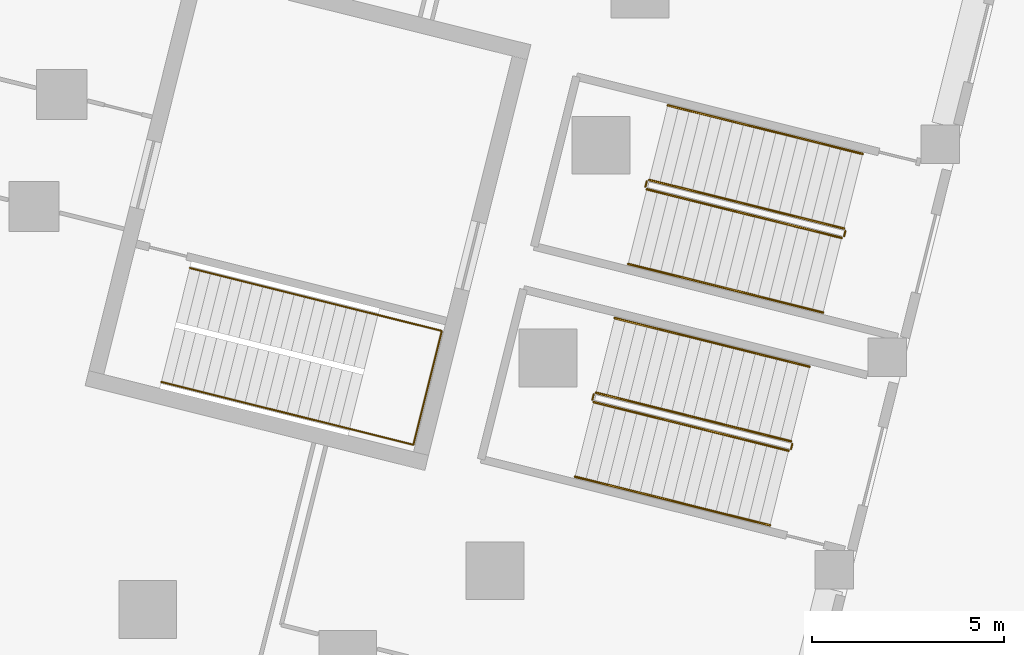
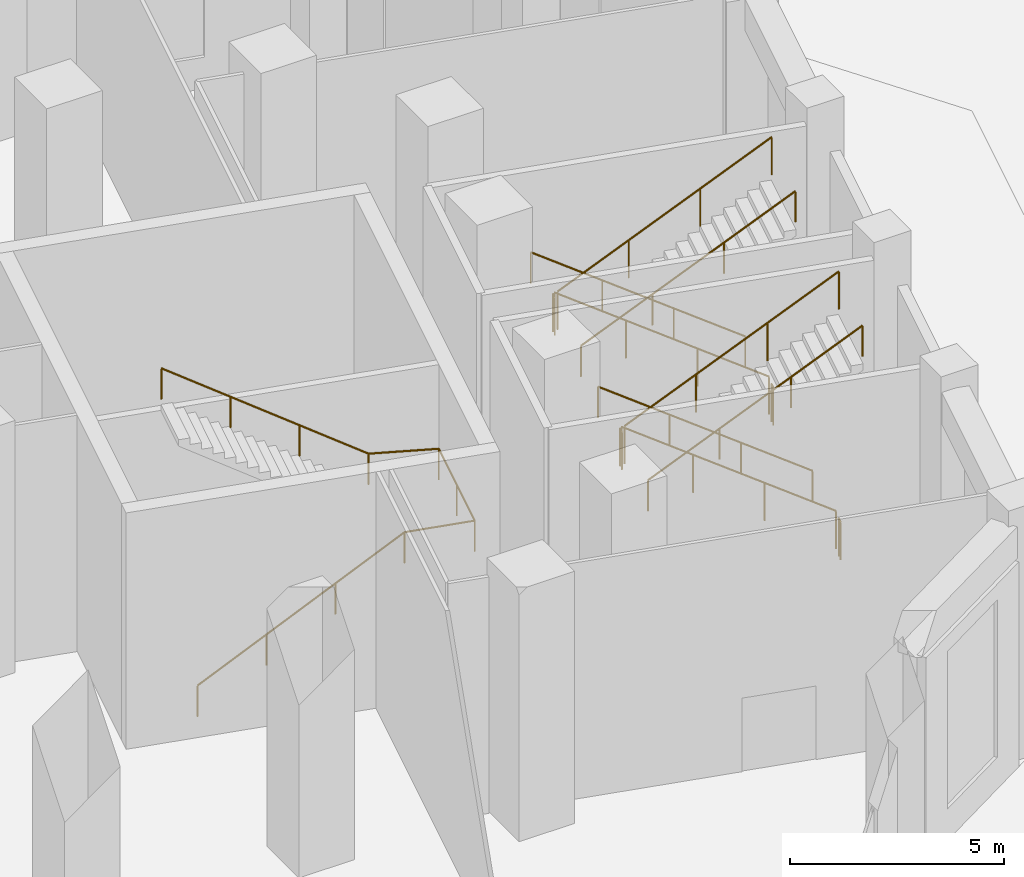
# One storey, part 24 of 27: 13 railings.
"""IFC4 building model written with IfcOpenShell, lengths in metres."""

import ifcopenshell
import ifcopenshell.guid

model = None  # the IFC model being written
_history = None  # IfcOwnerHistory: only IFC2X3 demands one
_inside = {}  # id of a spatial element -> (the spatial element, [elements in it])
_under = {}  # id of a project, library or spatial element -> (it, [spatial elements below it])
_declared = {}  # id of a project -> (the project, [libraries it declares])
_typed = {}  # id of a type object -> (the type object, [elements of that type])
_made_of = {}  # id of a material, layer set ... -> (it, [elements and type objects made of it])


def new_model(schema):
    """Start an empty IFC model of exactly this schema.

    Asked for "IFC4X3", IfcOpenShell would pick the latest addendum, in which some entities
    have other attributes; the version numbers below select the first issue.
    IFC2X3 requires an IfcOwnerHistory on every rooted entity: one is made here for all.
    """
    global model, _history
    if schema == "IFC4X3":
        model = ifcopenshell.file(schema_version=(4, 3, 0, 0))
    else:
        model = ifcopenshell.file(schema=schema)
    _inside.clear()
    _under.clear()
    _declared.clear()
    _typed.clear()
    _made_of.clear()
    _history = None
    if model.schema == "IFC2X3":
        org = make("IfcOrganization", Name="unknown")
        user = make(
            "IfcPersonAndOrganization",
            ThePerson=make("IfcPerson", FamilyName="unknown"),
            TheOrganization=org,
        )
        app = make(
            "IfcApplication",
            ApplicationDeveloper=org,
            Version="unknown",
            ApplicationFullName="unknown",
            ApplicationIdentifier="unknown",
        )
        _history = make(
            "IfcOwnerHistory",
            OwningUser=user,
            OwningApplication=app,
            ChangeAction="ADDED",
            CreationDate=0,
        )
    return model


def make(cls, **values):
    """One entity of the class cls with the attributes given. An attribute that is None is left unset."""
    return model.create_entity(
        cls, **{name: value for name, value in values.items() if value is not None}
    )


def rooted(cls, **values):
    """An entity with a GlobalId (a new one), such as an element, a storey or a relation."""
    return make(cls, GlobalId=ifcopenshell.guid.new(), OwnerHistory=_history, **values)


def si_unit(unit_type, name, prefix=None):
    """IfcSIUnit, for example si_unit("LENGTHUNIT", "METRE", prefix="MILLI")."""
    return make("IfcSIUnit", UnitType=unit_type, Prefix=prefix, Name=name)


def assignment(units):
    """IfcUnitAssignment: the units of a project."""
    return None if units is None else make("IfcUnitAssignment", Units=units)


def point(xyz):
    """IfcCartesianPoint."""
    return None if xyz is None else make("IfcCartesianPoint", Coordinates=xyz)


def direction(xyz):
    """IfcDirection."""
    return None if xyz is None else make("IfcDirection", DirectionRatios=xyz)


def frame(location, z_axis=None, x_axis=None):
    """IfcAxis2Placement3D, a coordinate frame: its origin and axes. An axis left out is left unset."""
    return make(
        "IfcAxis2Placement3D",
        Location=point(location),
        Axis=direction(z_axis),
        RefDirection=direction(x_axis),
    )


def frame_2d(location, x_axis=None):
    """IfcAxis2Placement2D, a coordinate frame in the plane: its origin and x axis."""
    return make(
        "IfcAxis2Placement2D", Location=point(location), RefDirection=direction(x_axis)
    )


def origin():
    """The frame at (0, 0, 0) with its axes left unset."""
    return frame((0.0, 0.0, 0.0))


def origin_2d():
    """The frame at (0, 0) in the plane with its x axis left unset."""
    return frame_2d((0.0, 0.0))


def place(relative_to, where):
    """IfcLocalPlacement: puts the frame where relative to a parent placement (None: the world)."""
    return make(
        "IfcLocalPlacement", PlacementRelTo=relative_to, RelativePlacement=where
    )


def context(
    kind, dimensions, precision=None, world=None, true_north=None, identifier=None
):
    """IfcGeometricRepresentationContext, for example the 3D "Model" context."""
    return make(
        "IfcGeometricRepresentationContext",
        ContextIdentifier=identifier,
        ContextType=kind,
        CoordinateSpaceDimension=dimensions,
        Precision=precision,
        WorldCoordinateSystem=world,
        TrueNorth=true_north,
    )


def subcontext(parent, identifier, kind, view, scale=None):
    """IfcGeometricRepresentationSubContext, for example "Body" below "Model"."""
    return make(
        "IfcGeometricRepresentationSubContext",
        ContextIdentifier=identifier,
        ContextType=kind,
        ParentContext=parent,
        TargetScale=scale,
        TargetView=view,
    )


def project(units=None, contexts=None):
    """IfcProject with its units and contexts."""
    return rooted(
        "IfcProject",
        Name="project",
        RepresentationContexts=contexts,
        UnitsInContext=assignment(units),
    )


def spatial(cls, under=None, at=None, **own):
    """A site, building, storey or space (cls), placed at a placement, below another one or the project."""
    s = rooted(cls, ObjectPlacement=at, **own)
    if under is not None:
        _under.setdefault(under.id(), (under, []))[1].append(s)
    return s


def profile(cls, at=None, kind="AREA", **sizes):
    """A parametric profile (cls). Its sizes go by their IFC names, for example OverallWidth=200.0."""
    return make(cls, ProfileType=kind, Position=at, **sizes)


def circle(**sizes):
    """IfcCircleProfileDef."""
    return profile("IfcCircleProfileDef", **sizes)


def extrude(swept, where, along, depth):
    """IfcExtrudedAreaSolid: the profile swept, set in the frame where, extruded along a direction by depth."""
    return make(
        "IfcExtrudedAreaSolid",
        SweptArea=swept,
        Position=where,
        ExtrudedDirection=direction(along),
        Depth=depth,
    )


def shape(context_of_items, identifier, shape_type, items):
    """IfcShapeRepresentation: the items that make up one representation, for example the "Body"."""
    return make(
        "IfcShapeRepresentation",
        ContextOfItems=context_of_items,
        RepresentationIdentifier=identifier,
        RepresentationType=shape_type,
        Items=items,
    )


def material(Name=None, Category=None):
    """IfcMaterial."""
    return make("IfcMaterial", Name=Name, Category=Category)


def made_of(thing, what):
    """Note that an element or type object is made of a material, layer set ...; save() writes the relation."""
    if what is not None:
        _made_of.setdefault(what.id(), (what, []))[1].append(thing)
    return thing


def type_object(cls, material=None, **own):
    """A type object (cls), such as IfcWallType, which elements share."""
    return made_of(rooted(cls, **own), material)


def element(
    cls,
    number,
    at=None,
    inside=None,
    cuts=None,
    type_object=None,
    material=None,
    context=None,
    identifier="Body",
    shape_type=None,
    held_by="IfcProductDefinitionShape",
    body=None,
    shapes=None,
    **own,
):
    """One element of the class cls, such as IfcWall. Its Tag is "e" and its number.

    at: its placement. inside: the storey or other place that contains it. cuts: it is an
    opening in that element (IfcRelVoidsElement). A single representation is given by context,
    identifier, shape_type and body (its items); several are given by shapes. held_by: the class
    of the entity that holds the representations. save() writes the other relations.
    """
    e = rooted(cls, Tag="e%d" % number, ObjectPlacement=at, **own)
    if body is not None:
        shapes = [shape(context, identifier, shape_type, body)]
    if shapes is not None:
        e.Representation = make(held_by, Representations=shapes)
    if inside is not None:
        _inside.setdefault(inside.id(), (inside, []))[1].append(e)
    if cuts is not None:
        rooted(
            "IfcRelVoidsElement", RelatingBuildingElement=cuts, RelatedOpeningElement=e
        )
    if type_object is not None:
        _typed.setdefault(type_object.id(), (type_object, []))[1].append(e)
    return made_of(e, material)


def aggregate(whole, parts):
    """IfcRelAggregates: a whole, such as a stair, and the parts it consists of."""
    return rooted("IfcRelAggregates", RelatingObject=whole, RelatedObjects=parts)


def save(model, path):
    """Write the relations noted so far, then the file.

    IfcRelAggregates (storeys below a building ...), IfcRelContainedInSpatialStructure (elements
    in a storey), IfcRelDefinesByType, IfcRelAssociatesMaterial and IfcRelDeclares: one each for
    every whole, place, type object, material and project.
    """
    for whole, parts in _under.values():
        aggregate(whole, parts)
    for where, things in _inside.values():
        rooted(
            "IfcRelContainedInSpatialStructure",
            RelatedElements=things,
            RelatingStructure=where,
        )
    for kind, things in _typed.values():
        rooted("IfcRelDefinesByType", RelatedObjects=things, RelatingType=kind)
    for what, things in _made_of.values():
        rooted("IfcRelAssociatesMaterial", RelatedObjects=things, RelatingMaterial=what)
    for by, libraries in _declared.values():
        rooted("IfcRelDeclares", RelatingContext=by, RelatedDefinitions=libraries)
    model.write(path)


model = new_model("IFC4")

# Units and contexts
model_context = context("Model", 3, precision=1e-05, world=origin(), true_north=direction((0.0, 1.0)))
body_context = subcontext(model_context, "Body", "Model", "MODEL_VIEW")
ifc_project = project(units=[si_unit("LENGTHUNIT", "METRE"), si_unit("AREAUNIT", "SQUARE_METRE"), si_unit("VOLUMEUNIT", "CUBIC_METRE"), si_unit("PLANEANGLEUNIT", "RADIAN"), si_unit("MASSUNIT", "GRAM", prefix="KILO")], contexts=[model_context])

# Site, building, storey
site_placement = place(None, origin())
site = spatial("IfcSite", under=ifc_project, at=site_placement, CompositionType="ELEMENT")
building_placement = place(site_placement, origin())
building = spatial("IfcBuilding", under=site, at=building_placement, Name="Meshkara Civic Tower", CompositionType="ELEMENT")
storey_placement = place(building_placement, origin())
storey = spatial("IfcBuildingStorey", under=building, at=storey_placement, Name="L00", CompositionType="ELEMENT", Elevation=0.0)

# Railings
ifc_material_1 = material(Name="Steel guard", Category="steel")
railing_type_1 = type_object("IfcRailingType", Name="Podium stair guard 1100", PredefinedType="GUARDRAIL", material=ifc_material_1)
railing_1_placement = place(storey_placement, frame((94.407470703125, -14.5361328125, 0.189453125)))
element("IfcRailing", 1, at=railing_1_placement, inside=storey, type_object=railing_type_1, Name="L00 PS3 stair guard 1", PredefinedType="GUARDRAIL", context=body_context, shape_type="SweptSolid", body=[
    extrude(circle(Radius=0.02392578125, at=origin_2d()), frame((0.0, 0.0, 1.076171875), z_axis=(-0.812278410529, 0.202541030448, 0.546974327344), x_axis=(-0.241941325135, -0.970290881742, 0.0)), (0.0, 0.0, 1.0), 6.235595703125),
    extrude(circle(Radius=0.02099609375, at=origin_2d()), origin(), (0.0, 0.0, 1.0), 1.052001953125),
    extrude(circle(Radius=0.02099609375, at=origin_2d()), frame((-1.688232421875, 0.4208984375, 1.136962890625)), (0.0, 0.0, 1.0), 1.052001953125),
    extrude(circle(Radius=0.02099609375, at=origin_2d()), frame((-3.376708984375, 0.842041015625, 2.273681640625)), (0.0, 0.0, 1.0), 1.052001953125),
    extrude(circle(Radius=0.02099609375, at=origin_2d()), frame((-5.06494140625, 1.262939453125, 3.41064453125)), (0.0, 0.0, 1.0), 1.052001953125),
])
railing_2_placement = place(storey_placement, frame((89.281982421875, -13.3095703125, 3.60009765625)))
element("IfcRailing", 2, at=railing_2_placement, inside=storey, type_object=railing_type_1, Name="L00 PS3 stair guard 2", PredefinedType="GUARDRAIL", context=body_context, shape_type="SweptSolid", body=[
    extrude(circle(Radius=0.02392578125, at=origin_2d()), frame((0.0, 0.0, 1.076171875), z_axis=(-0.242153208708, -0.970238024153, 0.0), x_axis=(0.970238024153, -0.242153208708, 0.0)), (0.0, 0.0, 1.0), 0.150146484375),
    extrude(circle(Radius=0.02099609375, at=origin_2d()), origin(), (0.0, 0.0, 1.0), 1.052001953125),
    extrude(circle(Radius=0.02099609375, at=origin_2d()), frame((-0.036376953125, -0.145751953125, 0.0)), (0.0, 0.0, 1.0), 1.052001953125),
])
railing_3_placement = place(storey_placement, frame((89.281982421875, -13.515869140625, 3.78955078125)))
element("IfcRailing", 3, at=railing_3_placement, inside=storey, type_object=railing_type_1, Name="L00 PS3 stair guard 3", PredefinedType="GUARDRAIL", context=body_context, shape_type="SweptSolid", body=[
    extrude(circle(Radius=0.02392578125, at=origin_2d()), frame((0.0, 0.0, 1.076171875), z_axis=(0.812302247574, -0.202507819553, 0.546951224157), x_axis=(0.241897292077, 0.970301860292, 0.0)), (0.0, 0.0, 1.0), 6.2353515625),
    extrude(circle(Radius=0.02099609375, at=origin_2d()), origin(), (0.0, 0.0, 1.0), 1.052001953125),
    extrude(circle(Radius=0.02099609375, at=origin_2d()), frame((1.688232421875, -0.4208984375, 1.13671875)), (0.0, 0.0, 1.0), 1.052001953125),
    extrude(circle(Radius=0.02099609375, at=origin_2d()), frame((3.376708984375, -0.841796875, 2.273681640625)), (0.0, 0.0, 1.0), 1.052001953125),
    extrude(circle(Radius=0.02099609375, at=origin_2d()), frame((5.06494140625, -1.2626953125, 3.410400390625)), (0.0, 0.0, 1.0), 1.052001953125),
])
railing_4_placement = place(storey_placement, frame((94.44384765625, -14.5966796875, 0.0)))
element("IfcRailing", 4, at=railing_4_placement, inside=storey, type_object=railing_type_1, Name="L00 PS3 stair guard 4", PredefinedType="GUARDRAIL", context=body_context, shape_type="SweptSolid", body=[
    extrude(circle(Radius=0.02392578125, at=origin_2d()), frame((0.0, 0.0, 1.076171875), z_axis=(-0.242535625036, -0.970142500145, 0.0), x_axis=(0.970142500145, -0.242535625036, 0.0)), (0.0, 0.0, 1.0), 0.14990234375),
    extrude(circle(Radius=0.02099609375, at=origin_2d()), origin(), (0.0, 0.0, 1.0), 1.052001953125),
    extrude(circle(Radius=0.02099609375, at=origin_2d()), frame((-0.036376953125, -0.1455078125, 0.0)), (0.0, 0.0, 1.0), 1.052001953125),
])
railing_5_placement = place(storey_placement, frame((95.786376953125, -9.005126953125, 0.189453125)))
element("IfcRailing", 5, at=railing_5_placement, inside=storey, type_object=railing_type_1, Name="L00 PS4 stair guard 1", PredefinedType="GUARDRAIL", context=body_context, shape_type="SweptSolid", body=[
    extrude(circle(Radius=0.02392578125, at=origin_2d()), frame((0.0, 0.0, 1.076171875), z_axis=(-0.812278410529, 0.202541030448, 0.546974327344), x_axis=(-0.241941325135, -0.970290881742, 0.0)), (0.0, 0.0, 1.0), 6.235595703125),
    extrude(circle(Radius=0.02099609375, at=origin_2d()), origin(), (0.0, 0.0, 1.0), 1.052001953125),
    extrude(circle(Radius=0.02099609375, at=origin_2d()), frame((-1.688232421875, 0.4208984375, 1.136962890625)), (0.0, 0.0, 1.0), 1.052001953125),
    extrude(circle(Radius=0.02099609375, at=origin_2d()), frame((-3.376708984375, 0.842041015625, 2.273681640625)), (0.0, 0.0, 1.0), 1.052001953125),
    extrude(circle(Radius=0.02099609375, at=origin_2d()), frame((-5.06494140625, 1.262939453125, 3.41064453125)), (0.0, 0.0, 1.0), 1.052001953125),
])
railing_6_placement = place(storey_placement, frame((90.660888671875, -7.778564453125, 3.60009765625)))
element("IfcRailing", 6, at=railing_6_placement, inside=storey, type_object=railing_type_1, Name="L00 PS4 stair guard 2", PredefinedType="GUARDRAIL", context=body_context, shape_type="SweptSolid", body=[
    extrude(circle(Radius=0.02392578125, at=origin_2d()), frame((0.0, 0.0, 1.076171875), z_axis=(-0.242153208708, -0.970238024153, 0.0), x_axis=(0.970238024153, -0.242153208708, 0.0)), (0.0, 0.0, 1.0), 0.150146484375),
    extrude(circle(Radius=0.02099609375, at=origin_2d()), origin(), (0.0, 0.0, 1.0), 1.052001953125),
    extrude(circle(Radius=0.02099609375, at=origin_2d()), frame((-0.036376953125, -0.145751953125, 0.0)), (0.0, 0.0, 1.0), 1.052001953125),
])
railing_7_placement = place(storey_placement, frame((90.6611328125, -7.98486328125, 3.78955078125)))
element("IfcRailing", 7, at=railing_7_placement, inside=storey, type_object=railing_type_1, Name="L00 PS4 stair guard 3", PredefinedType="GUARDRAIL", context=body_context, shape_type="SweptSolid", body=[
    extrude(circle(Radius=0.02392578125, at=origin_2d()), frame((0.0, 0.0, 1.076171875), z_axis=(0.812302247574, -0.202507819553, 0.546951224157), x_axis=(0.241897292077, 0.970301860292, 0.0)), (0.0, 0.0, 1.0), 6.2353515625),
    extrude(circle(Radius=0.02099609375, at=origin_2d()), origin(), (0.0, 0.0, 1.0), 1.052001953125),
    extrude(circle(Radius=0.02099609375, at=origin_2d()), frame((1.688232421875, -0.4208984375, 1.13671875)), (0.0, 0.0, 1.0), 1.052001953125),
    extrude(circle(Radius=0.02099609375, at=origin_2d()), frame((3.376708984375, -0.841796875, 2.273681640625)), (0.0, 0.0, 1.0), 1.052001953125),
    extrude(circle(Radius=0.02099609375, at=origin_2d()), frame((5.06494140625, -1.2626953125, 3.410400390625)), (0.0, 0.0, 1.0), 1.052001953125),
])
railing_8_placement = place(storey_placement, frame((95.82275390625, -9.065673828125, 0.0)))
element("IfcRailing", 8, at=railing_8_placement, inside=storey, type_object=railing_type_1, Name="L00 PS4 stair guard 4", PredefinedType="GUARDRAIL", context=body_context, shape_type="SweptSolid", body=[
    extrude(circle(Radius=0.02392578125, at=origin_2d()), frame((0.0, 0.0, 1.076171875), z_axis=(-0.241002713716, -0.970524441723, 0.0), x_axis=(0.970524441723, -0.241002713716, 0.0)), (0.0, 0.0, 1.0), 0.14990234375),
    extrude(circle(Radius=0.02099609375, at=origin_2d()), origin(), (0.0, 0.0, 1.0), 1.052001953125),
    extrude(circle(Radius=0.02099609375, at=origin_2d()), frame((-0.0361328125, -0.1455078125, 0.0)), (0.0, 0.0, 1.0), 1.052001953125),
])
ifc_material_2 = material(Name="Steel handrail", Category="steel")
railing_type_2 = type_object("IfcRailingType", Name="Podium stair handrail 900", PredefinedType="HANDRAIL", material=ifc_material_2)
railing_9_placement = place(storey_placement, frame((94.891357421875, -12.595458984375, 0.189453125)))
element("IfcRailing", 9, at=railing_9_placement, inside=storey, type_object=railing_type_2, Name="L00 PS3 stair handrail 1", PredefinedType="HANDRAIL", context=body_context, shape_type="SweptSolid", body=[
    extrude(circle(Radius=0.02392578125, at=origin_2d()), frame((0.0, 0.0, 0.8759765625), z_axis=(-0.812284851504, 0.202503482695, 0.546978664587), x_axis=(-0.241897292077, -0.970301860292, 0.0)), (0.0, 0.0, 1.0), 6.2353515625),
    extrude(circle(Radius=0.02099609375, at=origin_2d()), origin(), (0.0, 0.0, 1.0), 0.851806640625),
    extrude(circle(Radius=0.02099609375, at=origin_2d()), frame((-1.688232421875, 0.4208984375, 1.136962890625)), (0.0, 0.0, 1.0), 0.851806640625),
    extrude(circle(Radius=0.02099609375, at=origin_2d()), frame((-3.376708984375, 0.841796875, 2.273681640625)), (0.0, 0.0, 1.0), 0.851806640625),
    extrude(circle(Radius=0.02099609375, at=origin_2d()), frame((-5.06494140625, 1.2626953125, 3.41064453125)), (0.0, 0.0, 1.0), 0.851806640625),
])
railing_10_placement = place(storey_placement, frame((88.798095703125, -15.456298828125, 3.78955078125)))
element("IfcRailing", 10, at=railing_10_placement, inside=storey, type_object=railing_type_2, Name="L00 PS3 stair handrail 2", PredefinedType="HANDRAIL", context=body_context, shape_type="SweptSolid", body=[
    extrude(circle(Radius=0.02392578125, at=origin_2d()), frame((0.0, 0.0, 0.8759765625), z_axis=(0.812295806184, -0.202545368042, 0.546946886946), x_axis=(0.241941325135, 0.970290881742, 0.0)), (0.0, 0.0, 1.0), 6.2353515625),
    extrude(circle(Radius=0.02099609375, at=origin_2d()), origin(), (0.0, 0.0, 1.0), 0.851806640625),
    extrude(circle(Radius=0.02099609375, at=origin_2d()), frame((1.688232421875, -0.4208984375, 1.13671875)), (0.0, 0.0, 1.0), 0.851806640625),
    extrude(circle(Radius=0.02099609375, at=origin_2d()), frame((3.376708984375, -0.842041015625, 2.273681640625)), (0.0, 0.0, 1.0), 0.851806640625),
    extrude(circle(Radius=0.02099609375, at=origin_2d()), frame((5.06494140625, -1.262939453125, 3.410400390625)), (0.0, 0.0, 1.0), 0.851806640625),
])
railing_11_placement = place(storey_placement, frame((96.270263671875, -7.064453125, 0.189453125)))
element("IfcRailing", 11, at=railing_11_placement, inside=storey, type_object=railing_type_2, Name="L00 PS4 stair handrail 1", PredefinedType="HANDRAIL", context=body_context, shape_type="SweptSolid", body=[
    extrude(circle(Radius=0.02392578125, at=origin_2d()), frame((0.0, 0.0, 0.8759765625), z_axis=(-0.812284851504, 0.202503482695, 0.546978664587), x_axis=(-0.241897292077, -0.970301860292, 0.0)), (0.0, 0.0, 1.0), 6.2353515625),
    extrude(circle(Radius=0.02099609375, at=origin_2d()), origin(), (0.0, 0.0, 1.0), 0.851806640625),
    extrude(circle(Radius=0.02099609375, at=origin_2d()), frame((-1.688232421875, 0.4208984375, 1.136962890625)), (0.0, 0.0, 1.0), 0.851806640625),
    extrude(circle(Radius=0.02099609375, at=origin_2d()), frame((-3.376708984375, 0.841796875, 2.273681640625)), (0.0, 0.0, 1.0), 0.851806640625),
    extrude(circle(Radius=0.02099609375, at=origin_2d()), frame((-5.06494140625, 1.2626953125, 3.41064453125)), (0.0, 0.0, 1.0), 0.851806640625),
])
railing_12_placement = place(storey_placement, frame((90.17724609375, -9.92529296875, 3.78955078125)))
element("IfcRailing", 12, at=railing_12_placement, inside=storey, type_object=railing_type_2, Name="L00 PS4 stair handrail 2", PredefinedType="HANDRAIL", context=body_context, shape_type="SweptSolid", body=[
    extrude(circle(Radius=0.02392578125, at=origin_2d()), frame((0.0, 0.0, 0.8759765625), z_axis=(0.812295806184, -0.202545368042, 0.546946886946), x_axis=(0.241941325135, 0.970290881742, 0.0)), (0.0, 0.0, 1.0), 6.2353515625),
    extrude(circle(Radius=0.02099609375, at=origin_2d()), origin(), (0.0, 0.0, 1.0), 0.851806640625),
    extrude(circle(Radius=0.02099609375, at=origin_2d()), frame((1.688232421875, -0.4208984375, 1.13671875)), (0.0, 0.0, 1.0), 0.851806640625),
    extrude(circle(Radius=0.02099609375, at=origin_2d()), frame((3.376708984375, -0.842041015625, 2.273681640625)), (0.0, 0.0, 1.0), 0.851806640625),
    extrude(circle(Radius=0.02099609375, at=origin_2d()), frame((5.06494140625, -1.262939453125, 3.410400390625)), (0.0, 0.0, 1.0), 0.851806640625),
])
ifc_material_3 = material(Name="Steel handrail", Category="steel")
railing_type_3 = type_object("IfcRailingType", Name="Stair handrail 900", PredefinedType="HANDRAIL", material=ifc_material_3)
railing_13_placement = place(storey_placement, frame((78.045166015625, -12.99169921875, 0.189453125)))
element("IfcRailing", 13, at=railing_13_placement, inside=storey, type_object=railing_type_3, Name="L00 ESB1 stair handrail 1", PredefinedType="HANDRAIL", context=body_context, shape_type="SweptSolid", body=[
    extrude(circle(Radius=0.02392578125, at=origin_2d()), frame((0.0, 0.0, 0.8759765625), z_axis=(0.803561564004, -0.200469153037, 0.560447081834), x_axis=(0.242056889963, 0.970262058426, 0.0)), (0.0, 0.0, 1.0), 6.085693359375),
    extrude(circle(Radius=0.02392578125, at=origin_2d()), frame((4.89013671875, -1.219970703125, 4.28662109375), z_axis=(0.970243192964, -0.242132497832, 0.0), x_axis=(0.242132497832, 0.970243192964, 0.0)), (0.0, 0.0, 1.0), 1.7099609375),
    extrude(circle(Radius=0.02392578125, at=origin_2d()), frame((6.54931640625, -1.634033203125, 4.28662109375), z_axis=(0.242064726708, 0.970260103315, 0.0), x_axis=(-0.970260103315, 0.242064726708, 0.0)), (0.0, 0.0, 1.0), 3.050048828125),
    extrude(circle(Radius=0.02392578125, at=origin_2d()), frame((7.28759765625, 1.3251953125, 4.28662109375), z_axis=(-0.964343179358, 0.24066009891, 0.110113347143), x_axis=(-0.242132497832, -0.970243192964, 0.0)), (0.0, 0.0, 1.0), 1.720458984375),
    extrude(circle(Radius=0.02392578125, at=origin_2d()), frame((5.62841796875, 1.7392578125, 4.47607421875), z_axis=(-0.803579631213, 0.200473660368, 0.560419564075), x_axis=(-0.242056889963, -0.970262058426, 0.0)), (0.0, 0.0, 1.0), 6.08544921875),
    extrude(circle(Radius=0.02099609375, at=origin_2d()), origin(), (0.0, 0.0, 1.0), 0.851806640625),
    extrude(circle(Radius=0.02099609375, at=origin_2d()), frame((1.630126953125, -0.40673828125, 1.136962890625)), (0.0, 0.0, 1.0), 0.851806640625),
    extrude(circle(Radius=0.02099609375, at=origin_2d()), frame((3.260009765625, -0.813232421875, 2.273681640625)), (0.0, 0.0, 1.0), 0.851806640625),
    extrude(circle(Radius=0.02099609375, at=origin_2d()), frame((4.89013671875, -1.219970703125, 3.41064453125)), (0.0, 0.0, 1.0), 0.851806640625),
    extrude(circle(Radius=0.02099609375, at=origin_2d()), frame((6.54931640625, -1.634033203125, 3.41064453125)), (0.0, 0.0, 1.0), 0.851806640625),
    extrude(circle(Radius=0.02099609375, at=origin_2d()), frame((6.91845703125, -0.154296875, 3.41064453125)), (0.0, 0.0, 1.0), 0.851806640625),
    extrude(circle(Radius=0.02099609375, at=origin_2d()), frame((7.28759765625, 1.3251953125, 3.41064453125)), (0.0, 0.0, 1.0), 0.851806640625),
    extrude(circle(Radius=0.02099609375, at=origin_2d()), frame((5.62841796875, 1.7392578125, 3.60009765625)), (0.0, 0.0, 1.0), 0.851806640625),
    extrude(circle(Radius=0.02099609375, at=origin_2d()), frame((3.998291015625, 2.14599609375, 4.73681640625)), (0.0, 0.0, 1.0), 0.851806640625),
    extrude(circle(Radius=0.02099609375, at=origin_2d()), frame((2.368408203125, 2.552490234375, 5.873779296875)), (0.0, 0.0, 1.0), 0.851806640625),
    extrude(circle(Radius=0.02099609375, at=origin_2d()), frame((0.73828125, 2.959228515625, 7.010498046875)), (0.0, 0.0, 1.0), 0.851806640625),
])

save(model, "model.ifc")
